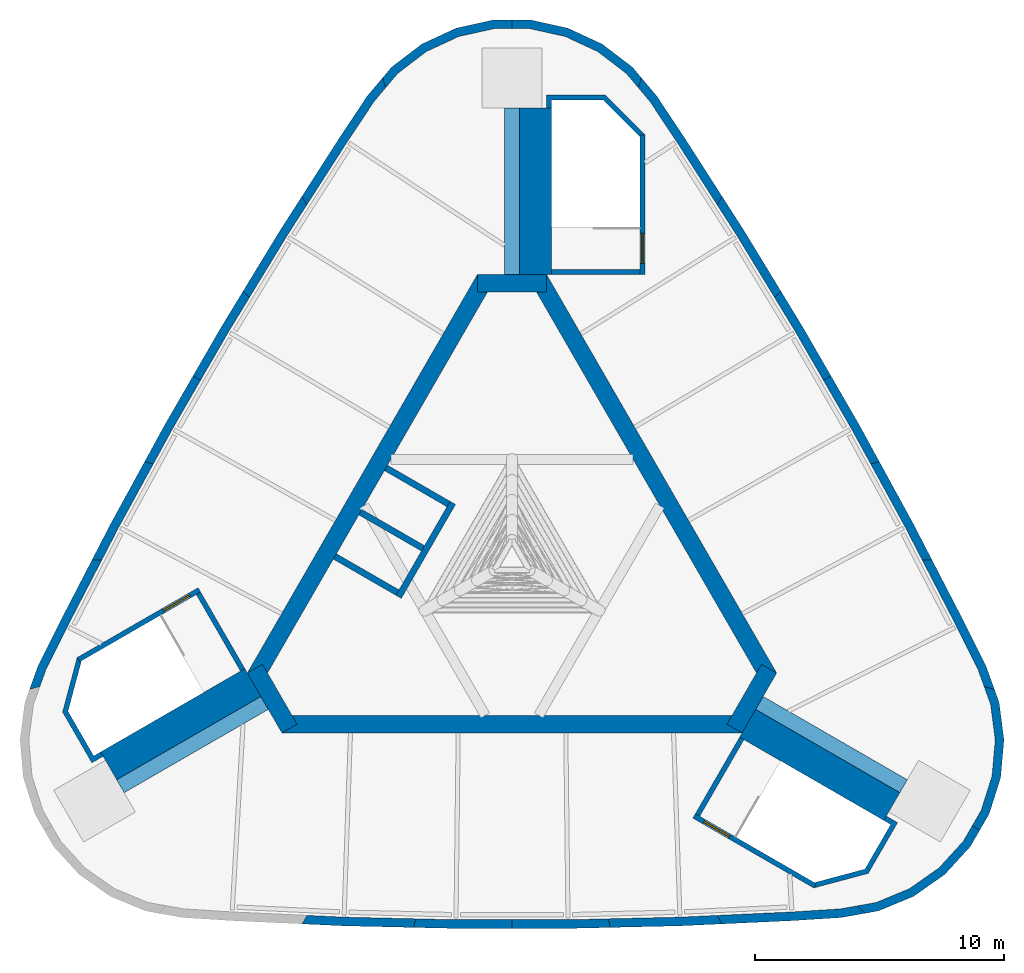
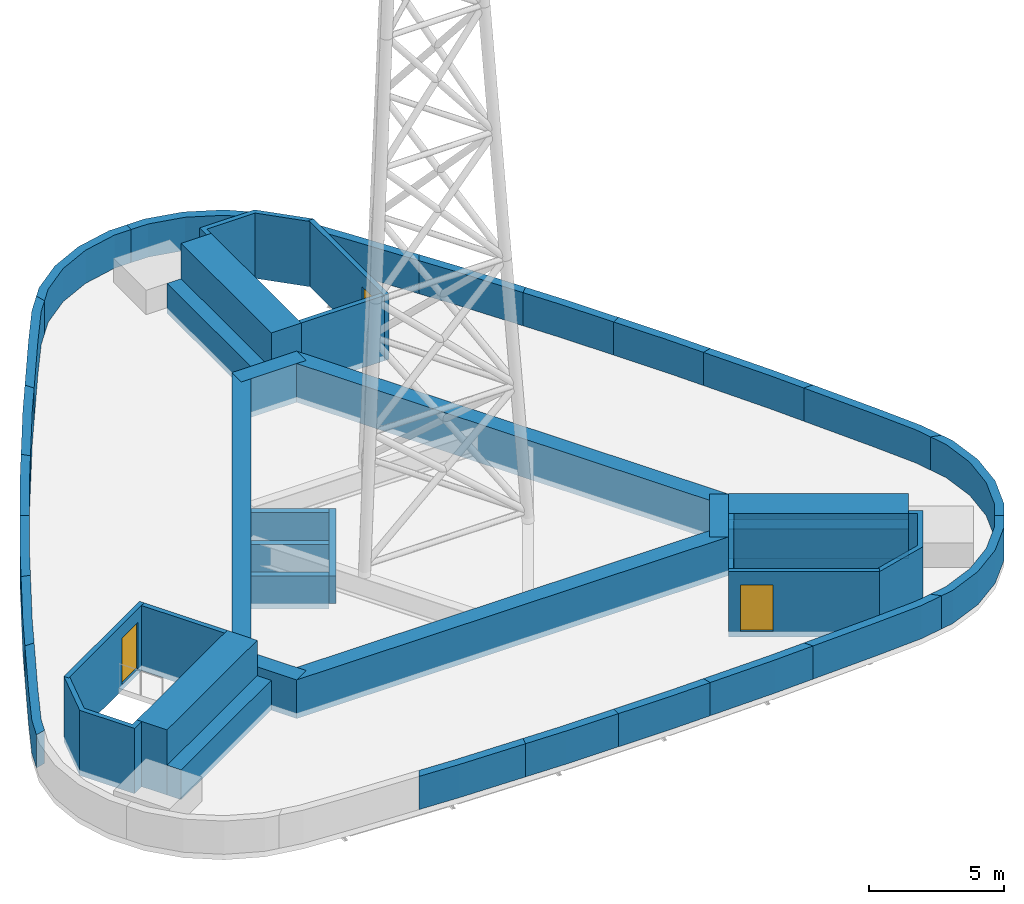
"""IFC4 building model written with IfcOpenShell, lengths in metres."""

from ifc_helpers import new_model, si_unit, direction, frame, frame_2d, origin, place, context, subcontext, project, spatial, polyline, rectangle, outline, extrude, material, layer, layer_set, type_object, element, fill, save


model = new_model("IFC4")

# Units and contexts
model_context = context("Model", 3, precision=1e-05, world=origin(), true_north=direction((0.0, 1.0)))
body_context = subcontext(model_context, "Body", "Model", "MODEL_VIEW")
ifc_project = project(units=[si_unit("LENGTHUNIT", "METRE"), si_unit("AREAUNIT", "SQUARE_METRE"), si_unit("VOLUMEUNIT", "CUBIC_METRE"), si_unit("PLANEANGLEUNIT", "RADIAN"), si_unit("MASSUNIT", "GRAM", prefix="KILO")], contexts=[model_context])

# Site, building, storey
site_placement = place(None, origin())
site = spatial("IfcSite", under=ifc_project, at=site_placement, CompositionType="ELEMENT")
building_placement = place(site_placement, origin())
building = spatial("IfcBuilding", under=site, at=building_placement, Name="Noor Cloister Tower", CompositionType="ELEMENT")
storey_1_placement = place(building_placement, frame((0.0, 0.0, 306.60009765625)))
storey_1 = spatial("IfcBuildingStorey", under=building, at=storey_1_placement, Name="Roof", CompositionType="ELEMENT", Elevation=306.60009765625)

# Walls
ifc_material_1 = material(Name="Concrete C50/60", Category="concrete")
ifc_layer_1 = layer(ifc_material_1, 0.60009765625)
ifc_layer_set_1 = layer_set([ifc_layer_1], Name="Buttress wall 600 C50/60")
wall_type_1 = type_object("IfcWallType", Name="Buttress wall 600 C50/60", PredefinedType="SHEAR", material=ifc_layer_set_1)
wall_1_placement = place(storey_1_placement, frame((0.0, 11.456298828125, -0.25), z_axis=(0.0, 0.0, 1.0), x_axis=(0.0, 1.0, 0.0)))
element("IfcWall", 1, at=wall_1_placement, inside=storey_1, type_object=wall_type_1, Name="Buttress wall N Roof", PredefinedType="SHEAR", context=body_context, shape_type="SweptSolid", body=[
    extrude(rectangle(XDim=6.6787109375, YDim=0.60009765625, at=frame_2d((3.33935546875, 0.0))), origin(), (0.0, 0.0, 1.0), 1.349853515625),
])
for number, where, z_axis, x_axis, name in (
    (2, (-9.921630859375, -5.728271484375, -0.25), (0.0, 0.0, 1.0), (-0.866032176823, -0.499988268569, 0.0), "Buttress wall SW Roof"),
    (3, (9.921630859375, -5.728271484375, -0.25), (0.0, 0.0, 1.0), (0.866032176823, -0.499988268569, 0.0), "Buttress wall SE Roof"),
):
    element("IfcWall", number, at=place(storey_1_placement, frame(where, z_axis=z_axis, x_axis=x_axis)), inside=storey_1, type_object=wall_type_1, Name=name, PredefinedType="SHEAR", context=body_context, shape_type="SweptSolid", body=[
        extrude(rectangle(XDim=6.678466796875, YDim=0.60009765625, at=frame_2d((3.33935546875, 0.0))), origin(), (0.0, 0.0, 1.0), 1.349853515625),
    ])
ifc_material_2 = material(Name="Concrete C50/60", Category="concrete")
ifc_layer_2 = layer(ifc_material_2, 0.699951171875)
ifc_layer_set_2 = layer_set([ifc_layer_2], Name="Core wall 700 C50/60")
wall_type_2 = type_object("IfcWallType", Name="Core wall 700 C50/60", PredefinedType="SHEAR", material=ifc_layer_set_2)
wall_2_placement = place(storey_1_placement, frame((-9.228759765625, -6.578125, -0.25), z_axis=(0.0, 0.0, 1.0), x_axis=(1.0, 0.0, 0.0)))
element("IfcWall", 4, at=wall_2_placement, inside=storey_1, type_object=wall_type_2, Name="Core wall Roof 1", PredefinedType="SHEAR", context=body_context, shape_type="SweptSolid", body=[
    extrude(rectangle(XDim=18.45751953125, YDim=0.699951171875, at=frame_2d((9.228759765625, 0.0))), origin(), (0.0, 0.0, 1.0), 1.75),
])
wall_3_placement = place(storey_1_placement, frame((8.925537109375, -6.753173828125, -0.25), z_axis=(0.0, 0.0, 1.0), x_axis=(0.500042739161, 0.866000726912, 0.0)))
element("IfcWall", 5, at=wall_3_placement, inside=storey_1, type_object=wall_type_2, Name="Core wall Roof 2", PredefinedType="SHEAR", context=body_context, shape_type="SweptSolid", body=[
    extrude(rectangle(XDim=2.771240234375, YDim=0.699951171875, at=frame_2d((1.3857421875, 0.0))), origin(), (0.0, 0.0, 1.0), 1.75),
])
wall_4_placement = place(storey_1_placement, frame((10.311279296875, -4.703125, -0.25), z_axis=(0.0, 0.0, 1.0), x_axis=(-0.500001446645, 0.866024568562, 0.0)))
element("IfcWall", 6, at=wall_4_placement, inside=storey_1, type_object=wall_type_2, Name="Core wall Roof 3", PredefinedType="SHEAR", context=body_context, shape_type="SweptSolid", body=[
    extrude(rectangle(XDim=18.45751953125, YDim=0.699951171875, at=frame_2d((9.228759765625, 0.0))), origin(), (0.0, 0.0, 1.0), 1.75),
])
wall_5_placement = place(storey_1_placement, frame((1.3857421875, 11.1064453125, -0.25), z_axis=(0.0, 0.0, 1.0), x_axis=(-1.0, 0.0, 0.0)))
element("IfcWall", 7, at=wall_5_placement, inside=storey_1, type_object=wall_type_2, Name="Core wall Roof 4", PredefinedType="SHEAR", context=body_context, shape_type="SweptSolid", body=[
    extrude(rectangle(XDim=2.771484375, YDim=0.699951171875, at=frame_2d((1.3857421875, 0.0))), origin(), (0.0, 0.0, 1.0), 1.75),
])
wall_6_placement = place(storey_1_placement, frame((-1.08251953125, 11.281494140625, -0.25), z_axis=(0.0, 0.0, 1.0), x_axis=(-0.500001446645, -0.866024568562, 0.0)))
element("IfcWall", 8, at=wall_6_placement, inside=storey_1, type_object=wall_type_2, Name="Core wall Roof 5", PredefinedType="SHEAR", context=body_context, shape_type="SweptSolid", body=[
    extrude(rectangle(XDim=18.45751953125, YDim=0.699951171875, at=frame_2d((9.228759765625, 0.0))), origin(), (0.0, 0.0, 1.0), 1.75),
])
wall_7_placement = place(storey_1_placement, frame((-10.311279296875, -4.353271484375, -0.25), z_axis=(0.0, 0.0, 1.0), x_axis=(0.500042739161, -0.866000726912, 0.0)))
element("IfcWall", 9, at=wall_7_placement, inside=storey_1, type_object=wall_type_2, Name="Core wall Roof 6", PredefinedType="SHEAR", context=body_context, shape_type="SweptSolid", body=[
    extrude(rectangle(XDim=2.771240234375, YDim=0.699951171875, at=frame_2d((1.3857421875, 0.0))), origin(), (0.0, 0.0, 1.0), 1.75),
])
ifc_material_3 = material(Name="Limestone", Category="masonry")
ifc_layer_3 = layer(ifc_material_3, 0.35009765625)
ifc_layer_set_3 = layer_set([ifc_layer_3], Name="Limestone crown parapet 350")
wall_type_3 = type_object("IfcWallType", Name="Limestone crown parapet 350", PredefinedType="PARAPET", material=ifc_layer_set_3)
wall_8_placement = place(storey_1_placement, origin())
element("IfcWall", 10, at=wall_8_placement, inside=storey_1, type_object=wall_type_3, Name="Crown roof parapet", PredefinedType="PARAPET", context=body_context, shape_type="SweptSolid", body=[
    extrude(outline(polyline([(14.734130859375, 3.947998046875), (14.38623046875, 3.854736328125), (15.76904296875, 1.32568359375), (16.45458984375, 0.0), (16.8486328125, 0.0), (16.078125, 1.489990234375), (14.734130859375, 3.947998046875)])), origin(), (0.0, 0.0, 1.0), 1.5),
])
wall_9_placement = place(storey_1_placement, origin())
element("IfcWall", 11, at=wall_9_placement, inside=storey_1, type_object=wall_type_3, Name="Crown roof parapet", PredefinedType="PARAPET", context=body_context, shape_type="SweptSolid", body=[
    extrude(outline(polyline([(12.794189453125, 7.38671875), (12.4912109375, 7.211669921875), (13.614013671875, 5.266845703125), (14.38623046875, 3.854736328125), (14.734130859375, 3.947998046875), (13.919189453125, 5.438232421875), (12.794189453125, 7.38671875)])), origin(), (0.0, 0.0, 1.0), 1.5),
])
wall_10_placement = place(storey_1_placement, origin())
element("IfcWall", 12, at=wall_10_placement, inside=storey_1, type_object=wall_type_3, Name="Crown roof parapet", PredefinedType="PARAPET", context=body_context, shape_type="SweptSolid", body=[
    extrude(outline(polyline([(10.7861328125, 10.7861328125), (10.531494140625, 10.531494140625), (11.3681640625, 9.15673828125), (12.4912109375, 7.211669921875), (12.794189453125, 7.38671875), (11.669189453125, 9.335205078125), (10.7861328125, 10.7861328125)])), origin(), (0.0, 0.0, 1.0), 1.5),
])
wall_11_placement = place(storey_1_placement, origin())
element("IfcWall", 13, at=wall_11_placement, inside=storey_1, type_object=wall_type_3, Name="Crown roof parapet", PredefinedType="PARAPET", context=body_context, shape_type="SweptSolid", body=[
    extrude(outline(polyline([(8.42431640625, 14.59130859375), (8.227294921875, 14.25), (9.03271484375, 12.99365234375), (10.531494140625, 10.531494140625), (10.7861328125, 10.7861328125), (9.32958984375, 13.178955078125), (8.42431640625, 14.59130859375)])), origin(), (0.0, 0.0, 1.0), 1.5),
])
wall_12_placement = place(storey_1_placement, origin())
element("IfcWall", 14, at=wall_12_placement, inside=storey_1, type_object=wall_type_3, Name="Crown roof parapet", PredefinedType="PARAPET", context=body_context, shape_type="SweptSolid", body=[
    extrude(outline(polyline([(6.9013671875, 16.967529296875), (5.809814453125, 18.609619140625), (5.18505859375, 19.3505859375), (5.074462890625, 18.9384765625), (5.529296875, 18.399169921875), (6.608154296875, 16.776123046875), (8.227294921875, 14.25), (8.42431640625, 14.59130859375), (6.9013671875, 16.967529296875)])), origin(), (0.0, 0.0, 1.0), 1.5),
])
wall_13_placement = place(storey_1_placement, origin())
element("IfcWall", 15, at=wall_13_placement, inside=storey_1, type_object=wall_type_3, Name="Crown roof parapet", PredefinedType="PARAPET", context=body_context, shape_type="SweptSolid", body=[
    extrude(outline(polyline([(0.0, 21.66357421875), (0.0, 21.3134765625), (0.7216796875, 21.3134765625), (2.13134765625, 21.001953125), (3.440185546875, 20.3935546875), (4.587158203125, 19.516845703125), (5.074462890625, 18.9384765625), (5.18505859375, 19.3505859375), (4.830078125, 19.771484375), (3.62255859375, 20.69482421875), (2.244140625, 21.33544921875), (0.760009765625, 21.66357421875), (0.0, 21.66357421875)])), origin(), (0.0, 0.0, 1.0), 1.5),
])
wall_14_placement = place(storey_1_placement, origin())
element("IfcWall", 16, at=wall_14_placement, inside=storey_1, type_object=wall_type_3, Name="Crown roof parapet", PredefinedType="PARAPET", context=body_context, shape_type="SweptSolid", body=[
    extrude(outline(polyline([(-5.18505859375, 19.3505859375), (-5.074462890625, 18.9384765625), (-4.587158203125, 19.516845703125), (-3.440185546875, 20.3935546875), (-2.13134765625, 21.001953125), (-0.7216796875, 21.3134765625), (0.0, 21.3134765625), (0.0, 21.66357421875), (-0.760009765625, 21.66357421875), (-2.244140625, 21.33544921875), (-3.62255859375, 20.69482421875), (-4.830078125, 19.771484375), (-5.18505859375, 19.3505859375)])), origin(), (0.0, 0.0, 1.0), 1.5),
])
wall_15_placement = place(storey_1_placement, origin())
element("IfcWall", 17, at=wall_15_placement, inside=storey_1, type_object=wall_type_3, Name="Crown roof parapet", PredefinedType="PARAPET", context=body_context, shape_type="SweptSolid", body=[
    extrude(outline(polyline([(-8.42431640625, 14.59130859375), (-8.227294921875, 14.25), (-6.608154296875, 16.776123046875), (-5.529296875, 18.399169921875), (-5.074462890625, 18.9384765625), (-5.18505859375, 19.3505859375), (-5.809814453125, 18.609619140625), (-6.9013671875, 16.967529296875), (-8.42431640625, 14.59130859375)])), origin(), (0.0, 0.0, 1.0), 1.5),
])
wall_16_placement = place(storey_1_placement, origin())
element("IfcWall", 18, at=wall_16_placement, inside=storey_1, type_object=wall_type_3, Name="Crown roof parapet", PredefinedType="PARAPET", context=body_context, shape_type="SweptSolid", body=[
    extrude(outline(polyline([(-10.7861328125, 10.7861328125), (-10.531494140625, 10.531494140625), (-9.03271484375, 12.99365234375), (-8.227294921875, 14.25), (-8.42431640625, 14.59130859375), (-9.32958984375, 13.178955078125), (-10.7861328125, 10.7861328125)])), origin(), (0.0, 0.0, 1.0), 1.5),
])
wall_17_placement = place(storey_1_placement, origin())
element("IfcWall", 19, at=wall_17_placement, inside=storey_1, type_object=wall_type_3, Name="Crown roof parapet", PredefinedType="PARAPET", context=body_context, shape_type="SweptSolid", body=[
    extrude(outline(polyline([(-12.794189453125, 7.38671875), (-12.4912109375, 7.211669921875), (-11.3681640625, 9.15673828125), (-10.531494140625, 10.531494140625), (-10.7861328125, 10.7861328125), (-11.669189453125, 9.335205078125), (-12.794189453125, 7.38671875)])), origin(), (0.0, 0.0, 1.0), 1.5),
])
wall_18_placement = place(storey_1_placement, origin())
element("IfcWall", 20, at=wall_18_placement, inside=storey_1, type_object=wall_type_3, Name="Crown roof parapet", PredefinedType="PARAPET", context=body_context, shape_type="SweptSolid", body=[
    extrude(outline(polyline([(-14.734130859375, 3.947998046875), (-14.38623046875, 3.854736328125), (-13.614013671875, 5.266845703125), (-12.4912109375, 7.211669921875), (-12.794189453125, 7.38671875), (-13.919189453125, 5.438232421875), (-14.734130859375, 3.947998046875)])), origin(), (0.0, 0.0, 1.0), 1.5),
])
wall_19_placement = place(storey_1_placement, origin())
element("IfcWall", 21, at=wall_19_placement, inside=storey_1, type_object=wall_type_3, Name="Crown roof parapet", PredefinedType="PARAPET", context=body_context, shape_type="SweptSolid", body=[
    extrude(outline(polyline([(-16.8486328125, 0.0), (-16.45458984375, 0.0), (-15.76904296875, 1.32568359375), (-14.38623046875, 3.854736328125), (-14.734130859375, 3.947998046875), (-16.078125, 1.489990234375), (-16.8486328125, 0.0)])), origin(), (0.0, 0.0, 1.0), 1.5),
])
wall_20_placement = place(storey_1_placement, origin())
element("IfcWall", 22, at=wall_20_placement, inside=storey_1, type_object=wall_type_3, Name="Crown roof parapet", PredefinedType="PARAPET", context=body_context, shape_type="SweptSolid", body=[
    extrude(outline(polyline([(-19.3505859375, -5.18505859375), (-18.9384765625, -5.074462890625), (-18.698974609375, -4.4111328125), (-17.832763671875, -2.665283203125), (-16.45458984375, 0.0), (-16.8486328125, 0.0), (-18.14501953125, -2.507080078125), (-19.021240234375, -4.2734375), (-19.3505859375, -5.18505859375)])), origin(), (0.0, 0.0, 1.0), 1.5),
])
wall_21_placement = place(storey_1_placement, origin())
element("IfcWall", 23, at=wall_21_placement, inside=storey_1, type_object=wall_type_3, Name="Crown roof parapet", PredefinedType="PARAPET", context=body_context, shape_type="SweptSolid", body=[
    extrude(outline(polyline([(-3.947998046875, -14.734130859375), (-3.854736328125, -14.38623046875), (-6.736572265625, -14.3193359375), (-8.227294921875, -14.25), (-8.42431640625, -14.59130859375), (-6.74853515625, -14.669189453125), (-3.947998046875, -14.734130859375)])), origin(), (0.0, 0.0, 1.0), 1.5),
])
wall_22_placement = place(storey_1_placement, origin())
element("IfcWall", 24, at=wall_22_placement, inside=storey_1, type_object=wall_type_3, Name="Crown roof parapet", PredefinedType="PARAPET", context=body_context, shape_type="SweptSolid", body=[
    extrude(outline(polyline([(0.0, -14.7734375), (0.0, -14.423583984375), (-2.245849609375, -14.423583984375), (-3.854736328125, -14.38623046875), (-3.947998046875, -14.734130859375), (-2.25, -14.7734375), (0.0, -14.7734375)])), origin(), (0.0, 0.0, 1.0), 1.5),
])
wall_23_placement = place(storey_1_placement, origin())
element("IfcWall", 25, at=wall_23_placement, inside=storey_1, type_object=wall_type_3, Name="Crown roof parapet", PredefinedType="PARAPET", context=body_context, shape_type="SweptSolid", body=[
    extrude(outline(polyline([(3.947998046875, -14.734130859375), (3.854736328125, -14.38623046875), (2.245849609375, -14.423583984375), (0.0, -14.423583984375), (0.0, -14.7734375), (2.25, -14.7734375), (3.947998046875, -14.734130859375)])), origin(), (0.0, 0.0, 1.0), 1.5),
])
wall_24_placement = place(storey_1_placement, origin())
element("IfcWall", 26, at=wall_24_placement, inside=storey_1, type_object=wall_type_3, Name="Crown roof parapet", PredefinedType="PARAPET", context=body_context, shape_type="SweptSolid", body=[
    extrude(outline(polyline([(8.42431640625, -14.59130859375), (8.227294921875, -14.25), (6.736572265625, -14.3193359375), (3.854736328125, -14.38623046875), (3.947998046875, -14.734130859375), (6.74853515625, -14.669189453125), (8.42431640625, -14.59130859375)])), origin(), (0.0, 0.0, 1.0), 1.5),
])
wall_25_placement = place(storey_1_placement, origin())
element("IfcWall", 27, at=wall_25_placement, inside=storey_1, type_object=wall_type_3, Name="Crown roof parapet", PredefinedType="PARAPET", context=body_context, shape_type="SweptSolid", body=[
    extrude(outline(polyline([(14.16552734375, -14.16552734375), (13.864013671875, -13.864013671875), (13.16943359375, -13.98828125), (11.224609375, -14.111083984375), (8.227294921875, -14.25), (8.42431640625, -14.59130859375), (11.24365234375, -14.46044921875), (13.21142578125, -14.336181640625), (14.16552734375, -14.16552734375)])), origin(), (0.0, 0.0, 1.0), 1.5),
])
wall_26_placement = place(storey_1_placement, origin())
element("IfcWall", 28, at=wall_26_placement, inside=storey_1, type_object=wall_type_3, Name="Crown roof parapet", PredefinedType="PARAPET", context=body_context, shape_type="SweptSolid", body=[
    extrude(outline(polyline([(18.76123046875, -10.831787109375), (18.4580078125, -10.65673828125), (18.09716796875, -11.28173828125), (17.12255859375, -12.3466796875), (15.941162109375, -13.176025390625), (14.6083984375, -13.73095703125), (13.864013671875, -13.864013671875), (14.16552734375, -14.16552734375), (14.707763671875, -14.068603515625), (16.11083984375, -13.484619140625), (17.35498046875, -12.611083984375), (18.381103515625, -11.489990234375), (18.76123046875, -10.831787109375)])), origin(), (0.0, 0.0, 1.0), 1.5),
])
wall_27_placement = place(storey_1_placement, origin())
element("IfcWall", 29, at=wall_27_placement, inside=storey_1, type_object=wall_type_3, Name="Crown roof parapet", PredefinedType="PARAPET", context=body_context, shape_type="SweptSolid", body=[
    extrude(outline(polyline([(19.3505859375, -5.18505859375), (18.9384765625, -5.074462890625), (19.195556640625, -5.785888671875), (19.38134765625, -7.21728515625), (19.25390625, -8.6552734375), (18.81884765625, -10.03173828125), (18.4580078125, -10.65673828125), (18.76123046875, -10.831787109375), (19.14111328125, -10.173583984375), (19.59912109375, -8.724365234375), (19.7333984375, -7.210205078125), (19.53759765625, -5.702880859375), (19.3505859375, -5.18505859375)])), origin(), (0.0, 0.0, 1.0), 1.5),
])
wall_28_placement = place(storey_1_placement, origin())
element("IfcWall", 30, at=wall_28_placement, inside=storey_1, type_object=wall_type_3, Name="Crown roof parapet", PredefinedType="PARAPET", context=body_context, shape_type="SweptSolid", body=[
    extrude(outline(polyline([(16.8486328125, 0.0), (16.45458984375, 0.0), (17.832763671875, -2.665283203125), (18.698974609375, -4.4111328125), (18.9384765625, -5.074462890625), (19.3505859375, -5.18505859375), (19.021240234375, -4.2734375), (18.14501953125, -2.507080078125), (16.8486328125, 0.0)])), origin(), (0.0, 0.0, 1.0), 1.5),
])
ifc_material_4 = material(Name="Concrete C50/60", Category="concrete")
ifc_layer_4 = layer(ifc_material_4, 0.25)
ifc_layer_set_4 = layer_set([ifc_layer_4], Name="Shaft wall 250 C50/60")
wall_type_4 = type_object("IfcWallType", Name="Shaft wall 250 C50/60", PredefinedType="PARTITIONING", material=ifc_layer_set_4)
for number, where, z_axis, x_axis, name in (
    (31, (-5.056396484375, 3.69873046875, -0.25), (0.0, 0.0, 1.0), (0.866032775405, -0.499987231761, 0.0), "Lift shaft wall Roof NW 3"),
    (32, (-6.081298828125, 1.92333984375, -0.25), (0.0, 0.0, 1.0), (0.866032775405, -0.499987231761, 0.0), "Lift shaft wall Roof NW 4"),
    (33, (-7.106201171875, 0.14794921875, -0.25), (0.0, 0.0, 1.0), (0.866032775405, -0.499987231761, 0.0), "Lift shaft wall Roof NW 5"),
):
    element("IfcWall", number, at=place(storey_1_placement, frame(where, z_axis=z_axis, x_axis=x_axis)), inside=storey_1, type_object=wall_type_4, Name=name, PredefinedType="PARTITIONING", context=body_context, shape_type="SweptSolid", body=[
        extrude(rectangle(XDim=2.89990234375, YDim=0.25, at=frame_2d((1.449951171875, 0.0))), origin(), (0.0, 0.0, 1.0), 1.5),
    ])
wall_29_placement = place(storey_1_placement, frame((-2.3740234375, 2.29443359375, 0.0), z_axis=(0.0, 0.0, 1.0), x_axis=(-0.499996127374, -0.866027639635, 0.0)))
element("IfcWall", 34, at=wall_29_placement, inside=storey_1, type_object=wall_type_4, Name="Lift shaft back wall Roof NW", PredefinedType="PARTITIONING", context=body_context, shape_type="SweptSolid", body=[
    extrude(rectangle(XDim=4.35009765625, YDim=0.25, at=frame_2d((2.175048828125, 0.0))), origin(), (0.0, 0.0, 1.0), 1.25),
])
ifc_material_5 = material(Name="Concrete C50/60", Category="concrete")
ifc_layer_5 = layer(ifc_material_5, 1.285888671875)
ifc_layer_set_5 = layer_set([ifc_layer_5], Name="Stair enclosure wall 1286 C50/60")
wall_type_5 = type_object("IfcWallType", Name="Stair enclosure wall 1286 C50/60", PredefinedType="SHEAR", material=ifc_layer_set_5)
for number, where, z_axis, x_axis, name in (
    (35, (0.94287109375, 11.456298828125, -0.25), (0.0, 0.0, 1.0), (0.0, 1.0, 0.0), "Stair enclosure wall ST1 Roof riser side"),
    (36, (-10.392822265625, -4.91162109375, -0.25), (0.0, 0.0, 1.0), (-0.866025486527, -0.499999856685, 0.0), "Stair enclosure wall ST2 Roof riser side"),
):
    element("IfcWall", number, at=place(storey_1_placement, frame(where, z_axis=z_axis, x_axis=x_axis)), inside=storey_1, type_object=wall_type_5, Name=name, PredefinedType="SHEAR", context=body_context, shape_type="SweptSolid", body=[
        extrude(rectangle(XDim=6.6787109375, YDim=1.28564453125, at=frame_2d((3.33935546875, 0.0))), origin(), (0.0, 0.0, 1.0), 2.949951171875),
    ])
wall_30_placement = place(storey_1_placement, frame((9.4501953125, -6.544677734375, -0.25), z_axis=(0.0, 0.0, 1.0), x_axis=(0.866016347338, -0.500015685897, 0.0)))
element("IfcWall", 37, at=wall_30_placement, inside=storey_1, type_object=wall_type_5, Name="Stair enclosure wall ST3 Roof riser side", PredefinedType="SHEAR", context=body_context, shape_type="SweptSolid", body=[
    extrude(rectangle(XDim=6.678466796875, YDim=1.28564453125, at=frame_2d((3.33935546875, 0.0))), origin(), (0.0, 0.0, 1.0), 2.949951171875),
])
ifc_material_6 = material(Name="Concrete C50/60", Category="concrete")
ifc_layer_6 = layer(ifc_material_6, 0.199951171875)
ifc_layer_set_6 = layer_set([ifc_layer_6], Name="Stair enclosure wall 200 C50/60")
wall_type_6 = type_object("IfcWallType", Name="Stair enclosure wall 200 C50/60", PredefinedType="SHEAR", material=ifc_layer_set_6)
wall_31_placement = place(storey_1_placement, frame((5.135498046875, 11.556396484375, -0.25), z_axis=(0.0, 0.0, 1.0), x_axis=(-1.0, 0.0, 0.0)))
element("IfcWall", 38, at=wall_31_placement, inside=storey_1, type_object=wall_type_6, Name="Stair enclosure wall ST1 Roof near end", PredefinedType="SHEAR", context=body_context, shape_type="SweptSolid", body=[
    extrude(rectangle(XDim=3.5498046875, YDim=0.199951171875, at=frame_2d((1.77490234375, 0.0))), origin(), (0.0, 0.0, 1.0), 2.949951171875),
])

# Wall, opening
wall_32_placement = place(storey_1_placement, frame((5.235595703125, 11.456298828125, -0.25), z_axis=(0.0, 0.0, 1.0), x_axis=(0.0, 1.0, 0.0)))
wall_32 = element("IfcWall", 39, at=wall_32_placement, inside=storey_1, type_object=wall_type_6, Name="Stair enclosure wall ST1 Roof outer side", PredefinedType="SHEAR", context=body_context, shape_type="SweptSolid", body=[
    extrude(rectangle(XDim=5.60009765625, YDim=0.199951171875, at=frame_2d((2.800048828125, 0.0))), origin(), (0.0, 0.0, 1.0), 2.949951171875),
])
opening_1_placement = place(wall_32_placement, frame((0.449951171875, 0.0, 0.25)))
opening_1 = element("IfcOpeningElement", 40, at=opening_1_placement, cuts=wall_32, Name="Opening Roof-ST1C", PredefinedType="OPENING", context=body_context, shape_type="SweptSolid", body=[
    extrude(rectangle(XDim=1.199951171875, YDim=2.10009765625, at=frame_2d((0.60009765625, 1.050048828125))), frame((0.0, 0.10986328125, 0.0), z_axis=(0.0, -1.0, 0.0), x_axis=(1.0, 0.0, 0.0)), (0.0, 0.0, 1.0), 0.219970703125),
])

# Storey
storey_2_placement = place(building_placement, frame((0.0, 0.0, 302.10009765625)))
storey_2 = spatial("IfcBuildingStorey", under=building, at=storey_2_placement, Name="L76", CompositionType="ELEMENT", Elevation=302.10009765625)

# Door
ifc_material_7 = material(Name="Steel", Category="steel")
door_type = type_object("IfcDoorType", Name="Stair door 1200 x 2100 FD120", OperationType="SINGLE_SWING_LEFT", PredefinedType="DOOR", material=ifc_material_7)
door_1_placement = place(opening_1_placement, origin())
door_1 = element("IfcDoor", 41, at=door_1_placement, inside=storey_2, type_object=door_type, Name="Stair door ST1 Roof", OperationType="SINGLE_SWING_LEFT", OverallHeight=2.10009765625, OverallWidth=1.199951171875, PredefinedType="DOOR", context=body_context, shape_type="SweptSolid", body=[
    extrude(rectangle(XDim=1.199951171875, YDim=2.10009765625, at=frame_2d((0.60009765625, 1.050048828125))), frame((0.0, 0.02490234375, 0.0), z_axis=(0.0, -1.0, 0.0), x_axis=(1.0, 0.0, 0.0)), (0.0, 0.0, 1.0), 0.050048828125),
])

fill(opening_1, door_1)

# Wall
wall_33_placement = place(storey_1_placement, frame((-12.575927734375, -1.33056640625, -0.25), z_axis=(0.0, 0.0, 1.0), x_axis=(0.499970499736, -0.8660424351, 0.0)))
element("IfcWall", 42, at=wall_33_placement, inside=storey_1, type_object=wall_type_6, Name="Stair enclosure wall ST2 Roof near end", PredefinedType="SHEAR", context=body_context, shape_type="SweptSolid", body=[
    extrude(rectangle(XDim=3.550048828125, YDim=0.199951171875, at=frame_2d((1.77490234375, 0.0))), origin(), (0.0, 0.0, 1.0), 2.949951171875),
])

# Wall, opening, door
wall_34_placement = place(storey_1_placement, frame((-12.539306640625, -1.194091796875, -0.25), z_axis=(0.0, 0.0, 1.0), x_axis=(-0.866045472092, -0.499965239061, 0.0)))
wall_34 = element("IfcWall", 43, at=wall_34_placement, inside=storey_1, type_object=wall_type_6, Name="Stair enclosure wall ST2 Roof outer side", PredefinedType="SHEAR", context=body_context, shape_type="SweptSolid", body=[
    extrude(rectangle(XDim=5.60009765625, YDim=0.199951171875, at=frame_2d((2.800048828125, 0.0))), origin(), (0.0, 0.0, 1.0), 2.949951171875),
])
opening_2_placement = place(wall_34_placement, frame((0.449951171875, 0.0, 0.25)))
opening_2 = element("IfcOpeningElement", 44, at=opening_2_placement, cuts=wall_34, Name="Opening Roof-ST2C", PredefinedType="OPENING", context=body_context, shape_type="SweptSolid", body=[
    extrude(rectangle(XDim=1.199951171875, YDim=2.10009765625, at=frame_2d((0.60009765625, 1.050048828125))), frame((0.0, 0.10986328125, 0.0), z_axis=(0.0, -1.0, 0.0), x_axis=(1.0, 0.0, 0.0)), (0.0, 0.0, 1.0), 0.219970703125),
])
door_2_placement = place(opening_2_placement, origin())
door_2 = element("IfcDoor", 45, at=door_2_placement, inside=storey_2, type_object=door_type, Name="Stair door ST2 Roof", OperationType="SINGLE_SWING_LEFT", OverallHeight=2.10009765625, OverallWidth=1.199951171875, PredefinedType="DOOR", context=body_context, shape_type="SweptSolid", body=[
    extrude(rectangle(XDim=1.199951171875, YDim=2.10009765625, at=frame_2d((0.60009765625, 1.050048828125))), frame((0.0, 0.02490234375, 0.0), z_axis=(0.0, -1.0, 0.0), x_axis=(1.0, 0.0, 0.0)), (0.0, 0.0, 1.0), 0.050048828125),
])
fill(opening_2, door_2)

# Wall
wall_35_placement = place(storey_1_placement, frame((7.440185546875, -10.225830078125, -0.25), z_axis=(0.0, 0.0, 1.0), x_axis=(0.500022077904, 0.866012656725, 0.0)))
element("IfcWall", 46, at=wall_35_placement, inside=storey_1, type_object=wall_type_6, Name="Stair enclosure wall ST3 Roof near end", PredefinedType="SHEAR", context=body_context, shape_type="SweptSolid", body=[
    extrude(rectangle(XDim=3.550048828125, YDim=0.199951171875, at=frame_2d((1.77490234375, 0.0))), origin(), (0.0, 0.0, 1.0), 2.949951171875),
])

# Wall, opening, door
wall_36_placement = place(storey_1_placement, frame((7.3037109375, -10.262451171875, -0.25), z_axis=(0.0, 0.0, 1.0), x_axis=(0.866026594901, -0.49999793692, 0.0)))
wall_36 = element("IfcWall", 47, at=wall_36_placement, inside=storey_1, type_object=wall_type_6, Name="Stair enclosure wall ST3 Roof outer side", PredefinedType="SHEAR", context=body_context, shape_type="SweptSolid", body=[
    extrude(rectangle(XDim=5.60009765625, YDim=0.199951171875, at=frame_2d((2.800048828125, 0.0))), origin(), (0.0, 0.0, 1.0), 2.949951171875),
])
opening_3_placement = place(wall_36_placement, frame((0.449951171875, 0.0, 0.25)))
opening_3 = element("IfcOpeningElement", 48, at=opening_3_placement, cuts=wall_36, Name="Opening Roof-ST3C", PredefinedType="OPENING", context=body_context, shape_type="SweptSolid", body=[
    extrude(rectangle(XDim=1.199951171875, YDim=2.10009765625, at=frame_2d((0.60009765625, 1.050048828125))), frame((0.0, 0.10986328125, 0.0), z_axis=(0.0, -1.0, 0.0), x_axis=(1.0, 0.0, 0.0)), (0.0, 0.0, 1.0), 0.219970703125),
])
door_3_placement = place(opening_3_placement, origin())
door_3 = element("IfcDoor", 49, at=door_3_placement, inside=storey_2, type_object=door_type, Name="Stair door ST3 Roof", OperationType="SINGLE_SWING_LEFT", OverallHeight=2.10009765625, OverallWidth=1.199951171875, PredefinedType="DOOR", context=body_context, shape_type="SweptSolid", body=[
    extrude(rectangle(XDim=1.199951171875, YDim=2.10009765625, at=frame_2d((0.60009765625, 1.050048828125))), frame((0.0, 0.02490234375, 0.0), z_axis=(0.0, -1.0, 0.0), x_axis=(1.0, 0.0, 0.0)), (0.0, 0.0, 1.0), 0.050048828125),
])
fill(opening_3, door_3)

# Walls
ifc_material_8 = material(Name="Concrete C50/60", Category="concrete")
wall_type_7 = type_object("IfcWallType", Name="Stair far end wall C50/60", PredefinedType="SHEAR", material=ifc_material_8)
wall_37_placement = place(storey_1_placement, frame((0.0, 0.0, -0.25)))
element("IfcWall", 50, at=wall_37_placement, inside=storey_1, type_object=wall_type_7, Name="Stair enclosure wall ST1 Roof far end", PredefinedType="SHEAR", context=body_context, shape_type="SweptSolid", body=[
    extrude(outline(polyline([(5.335693359375, 17.056396484375), (3.735595703125, 18.656494140625), (1.385498046875, 18.656494140625), (1.385498046875, 18.135009765625), (1.585693359375, 18.135009765625), (1.585693359375, 18.456298828125), (3.65283203125, 18.456298828125), (5.135498046875, 16.9736328125), (5.135498046875, 17.056396484375), (5.135498046875, 17.056396484375), (5.135498046875, 17.056396484375), (5.135498046875, 17.056396484375), (5.135498046875, 17.056396484375), (5.135498046875, 17.056396484375), (5.135498046875, 17.056396484375), (5.135498046875, 17.056396484375), (5.135498046875, 17.056396484375), (5.135498046875, 17.056396484375), (5.135498046875, 17.056396484375), (5.135498046875, 17.056396484375), (5.135498046875, 17.056396484375), (5.135498046875, 17.056396484375), (5.135498046875, 17.056396484375), (5.135498046875, 17.056396484375), (5.135498046875, 17.056396484375), (5.335693359375, 17.056396484375)])), origin(), (0.0, 0.0, 1.0), 2.949951171875),
])
wall_38_placement = place(storey_1_placement, frame((0.0, 0.0, -0.25)))
element("IfcWall", 51, at=wall_38_placement, inside=storey_1, type_object=wall_type_7, Name="Stair enclosure wall ST2 Roof far end", PredefinedType="SHEAR", context=body_context, shape_type="SweptSolid", body=[
    extrude(outline(polyline([(-17.439208984375, -3.907470703125), (-18.024658203125, -6.093017578125), (-16.849609375, -8.128173828125), (-16.398193359375, -7.867431640625), (-16.498291015625, -7.6943359375), (-16.498291015625, -7.6943359375), (-16.776611328125, -7.85498046875), (-17.81005859375, -6.064697265625), (-17.267333984375, -4.039306640625), (-17.339111328125, -4.08056640625), (-17.339111328125, -4.08056640625), (-17.339111328125, -4.08056640625), (-17.339111328125, -4.08056640625), (-17.339111328125, -4.08056640625), (-17.339111328125, -4.08056640625), (-17.339111328125, -4.08056640625), (-17.339111328125, -4.08056640625), (-17.339111328125, -4.08056640625), (-17.339111328125, -4.08056640625), (-17.339111328125, -4.08056640625), (-17.339111328125, -4.08056640625), (-17.339111328125, -4.08056640625), (-17.339111328125, -4.08056640625), (-17.339111328125, -4.08056640625), (-17.339111328125, -4.08056640625), (-17.339111328125, -4.08056640625), (-17.439208984375, -3.907470703125)])), origin(), (0.0, 0.0, 1.0), 2.949951171875),
])
wall_39_placement = place(storey_1_placement, frame((0.0, 0.0, -0.25)))
element("IfcWall", 52, at=wall_39_placement, inside=storey_1, type_object=wall_type_7, Name="Stair enclosure wall ST3 Roof far end", PredefinedType="SHEAR", context=body_context, shape_type="SweptSolid", body=[
    extrude(outline(polyline([(12.103515625, -13.14892578125), (14.2890625, -12.5634765625), (15.464111328125, -10.5283203125), (15.0126953125, -10.267578125), (14.91259765625, -10.440673828125), (15.19091796875, -10.601318359375), (14.1572265625, -12.3916015625), (12.131591796875, -12.934326171875), (12.20361328125, -12.975830078125), (12.20361328125, -12.975830078125), (12.20361328125, -12.975830078125), (12.20361328125, -12.975830078125), (12.20361328125, -12.975830078125), (12.20361328125, -12.975830078125), (12.20361328125, -12.975830078125), (12.20361328125, -12.975830078125), (12.20361328125, -12.975830078125), (12.20361328125, -12.975830078125), (12.20361328125, -12.975830078125), (12.20361328125, -12.975830078125), (12.20361328125, -12.975830078125), (12.20361328125, -12.975830078125), (12.20361328125, -12.975830078125), (12.20361328125, -12.975830078125), (12.20361328125, -12.975830078125), (12.103515625, -13.14892578125)])), origin(), (0.0, 0.0, 1.0), 2.949951171875),
])

save(model, "model.ifc")
